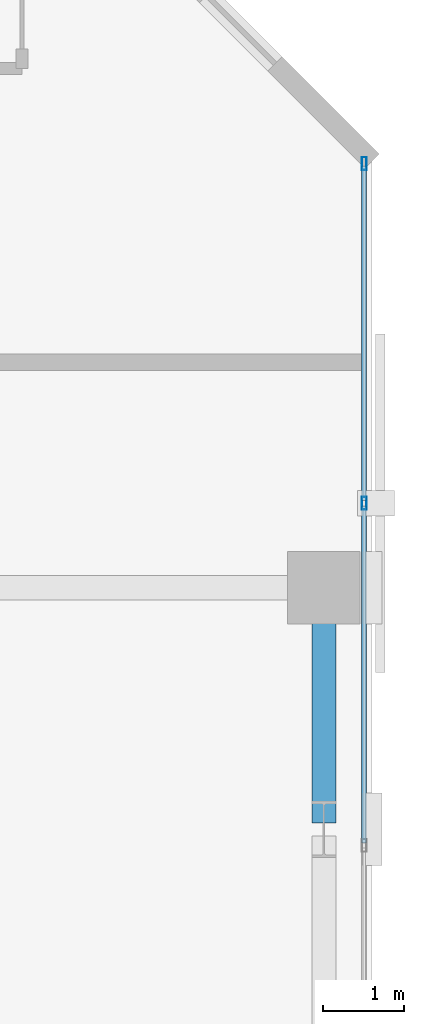
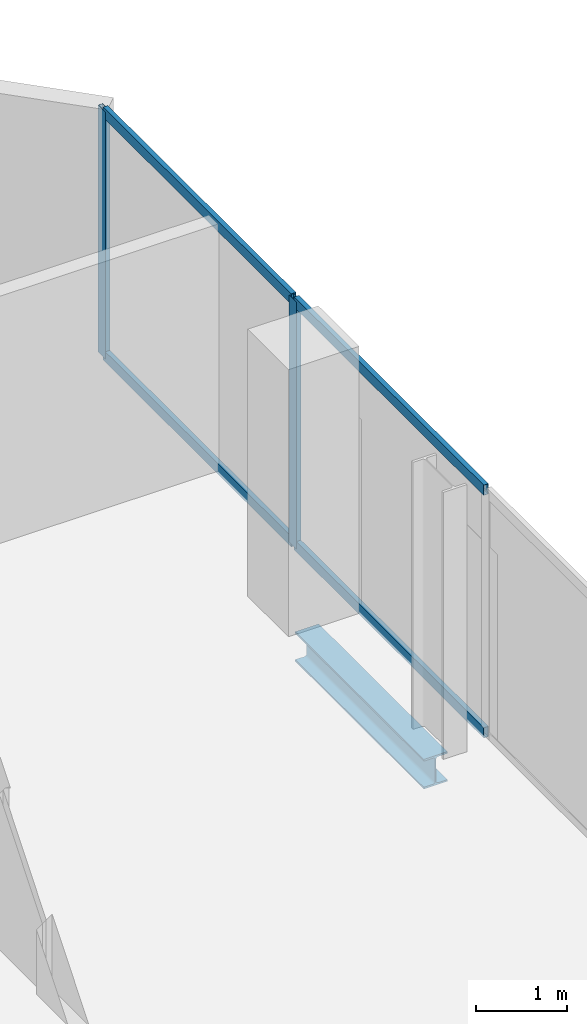
# One storey, part 26 of 35: 6 members, 1 beam, 1 element without a shape of its own.
"""IFC4 building model written with IfcOpenShell, lengths in metres."""

from ifc_helpers import new_model, si_unit, direction, frame, origin, origin_2d, place, context, subcontext, project, spatial, hollow_rectangle, i_section, extrude, material, layer, layer_set, material_profile, profile_set, type_object, element, aggregate, save


model = new_model("IFC4")

# Units and contexts
model_context = context("Model", 3, precision=1e-05, world=origin(), true_north=direction((0.0, 1.0)))
body_context = subcontext(model_context, "Body", "Model", "MODEL_VIEW")
ifc_project = project(units=[si_unit("LENGTHUNIT", "METRE"), si_unit("AREAUNIT", "SQUARE_METRE"), si_unit("VOLUMEUNIT", "CUBIC_METRE"), si_unit("PLANEANGLEUNIT", "RADIAN"), si_unit("MASSUNIT", "GRAM", prefix="KILO")], contexts=[model_context])

# Site, building, storey
site_placement = place(None, origin())
site = spatial("IfcSite", under=ifc_project, at=site_placement, CompositionType="ELEMENT")
building_placement = place(site_placement, origin())
building = spatial("IfcBuilding", under=site, at=building_placement, Name="Catumbela Crestline Tower", CompositionType="ELEMENT")
storey_placement = place(building_placement, frame((0.0, 0.0, 90.0)))
storey = spatial("IfcBuildingStorey", under=building, at=storey_placement, Name="L22", CompositionType="ELEMENT", Elevation=90.0)

# Curtain wall, members
ifc_material_1 = material(Name="Aluminium alloy AW-6060-T66", Category="aluminium")
ifc_layer = layer(ifc_material_1, 0.18, Name="Aluminium alloy AW-6060-T66")
ifc_layer_set = layer_set([ifc_layer], Name="Aluminium alloy AW-6060-T66")
curtain_wall_type = type_object("IfcCurtainWallType", Name="CWU-Z2", PredefinedType="USERDEFINED", material=ifc_layer_set)
curtain_wall_placement = place(storey_placement, origin())
curtain_wall = element("IfcCurtainWall", 1, at=curtain_wall_placement, inside=storey, type_object=curtain_wall_type, Name="L22 Unitised Curtain Wall CW-L22-E5S1", ObjectType="UNITISED", PredefinedType="USERDEFINED")
ifc_material_profile_1 = material_profile(ifc_material_1, hollow_rectangle(XDim=0.06, YDim=0.16, WallThickness=0.004, at=origin_2d()), Name="ALU 160x60x4")
ifc_profile_set_1 = profile_set([ifc_material_profile_1], Name="Aluminium alloy AW-6060-T66")
member_type_1 = type_object("IfcMemberType", Name="MUL-160X60", PredefinedType="MULLION", material=ifc_profile_set_1)
member_1_placement = place(storey_placement, frame((50.9, 40.25, 0.0), z_axis=(0.0, 0.0, 1.0), x_axis=(-1.0, 0.0, 0.0)))
member_1 = element("IfcMember", 2, at=member_1_placement, type_object=member_type_1, Name="CWU-Z2 mullion 4", PredefinedType="MULLION", context=body_context, shape_type="SweptSolid", body=[
    extrude(hollow_rectangle(XDim=0.06, YDim=0.16, WallThickness=0.004, at=origin_2d()), origin(), (0.0, 0.0, 1.0), 3.33),
])
member_2_placement = place(storey_placement, frame((50.9, 44.4675, 0.0), z_axis=(0.0, 0.0, 1.0), x_axis=(-1.0, 0.0, 0.0)))
member_2 = element("IfcMember", 3, at=member_2_placement, type_object=member_type_1, Name="CWU-Z2 mullion 5", PredefinedType="MULLION", context=body_context, shape_type="SweptSolid", body=[
    extrude(hollow_rectangle(XDim=0.06, YDim=0.16, WallThickness=0.004, at=origin_2d()), origin(), (0.0, 0.0, 1.0), 3.33),
])

# Beam
ifc_material_2 = material(Name="Structural steel S355J2", Category="steel")
ifc_material_profile_2 = material_profile(ifc_material_2, i_section(OverallWidth=0.3, OverallDepth=0.4, WebThickness=0.0135, FlangeThickness=0.024, FilletRadius=0.027, at=origin_2d()), Name="HEB 400")
ifc_profile_set_2 = profile_set([ifc_material_profile_2], Name="Structural steel S355J2")
beam_type = type_object("IfcBeamType", Name="BS-HEB400", PredefinedType="SPANDREL", material=ifc_profile_set_2)
beam_placement = place(storey_placement, frame((50.4, 36.28, -0.46), z_axis=(0.0, 1.0, 0.0), x_axis=(-1.0, 0.0, 0.0)))
element("IfcBeam", 4, at=beam_placement, inside=storey, type_object=beam_type, Name="L22 Spandrel SP-L22-SN36", PredefinedType="SPANDREL", context=body_context, shape_type="SweptSolid", body=[
    extrude(i_section(OverallWidth=0.3, OverallDepth=0.4, WebThickness=0.0135, FlangeThickness=0.024, FilletRadius=0.027, at=origin_2d()), origin(), (0.0, 0.0, 1.0), 2.84),
])

# Member
ifc_material_profile_3 = material_profile(ifc_material_1, hollow_rectangle(XDim=0.06, YDim=0.14, WallThickness=0.004, at=origin_2d()), Name="ALU 140x60x4")
ifc_profile_set_3 = profile_set([ifc_material_profile_3], Name="Aluminium alloy AW-6060-T66")
member_type_2 = type_object("IfcMemberType", Name="TRN-140X60", PredefinedType="USERDEFINED", material=ifc_profile_set_3)
member_3_placement = place(storey_placement, frame((50.9, 36.0325, 0.03), z_axis=(0.0, 1.0, 0.0), x_axis=(-1.0, 0.0, 0.0)))
member_3 = element("IfcMember", 5, at=member_3_placement, type_object=member_type_2, Name="CWU-Z2 transom 3.1", ObjectType="TRANSOM", PredefinedType="USERDEFINED", context=body_context, shape_type="SweptSolid", body=[
    extrude(hollow_rectangle(XDim=0.06, YDim=0.14, WallThickness=0.004, at=origin_2d()), origin(), (0.0, 0.0, 1.0), 4.185),
])

member_4_placement = place(storey_placement, frame((50.9, 36.0325, 3.3), z_axis=(0.0, 1.0, 0.0), x_axis=(-1.0, 0.0, 0.0)))
member_4 = element("IfcMember", 6, at=member_4_placement, type_object=member_type_2, Name="CWU-Z2 transom 3.2", ObjectType="TRANSOM", PredefinedType="USERDEFINED", context=body_context, shape_type="SweptSolid", body=[
    extrude(hollow_rectangle(XDim=0.06, YDim=0.14, WallThickness=0.004, at=origin_2d()), origin(), (0.0, 0.0, 1.0), 4.185),
])

member_5_placement = place(storey_placement, frame((50.9, 40.2825, 0.03), z_axis=(0.0, 1.0, 0.0), x_axis=(-1.0, 0.0, 0.0)))
member_5 = element("IfcMember", 7, at=member_5_placement, type_object=member_type_2, Name="CWU-Z2 transom 4.1", ObjectType="TRANSOM", PredefinedType="USERDEFINED", context=body_context, shape_type="SweptSolid", body=[
    extrude(hollow_rectangle(XDim=0.06, YDim=0.14, WallThickness=0.004, at=origin_2d()), origin(), (0.0, 0.0, 1.0), 4.1525),
])

member_6_placement = place(storey_placement, frame((50.9, 40.2825, 3.3), z_axis=(0.0, 1.0, 0.0), x_axis=(-1.0, 0.0, 0.0)))
member_6 = element("IfcMember", 8, at=member_6_placement, type_object=member_type_2, Name="CWU-Z2 transom 4.2", ObjectType="TRANSOM", PredefinedType="USERDEFINED", context=body_context, shape_type="SweptSolid", body=[
    extrude(hollow_rectangle(XDim=0.06, YDim=0.14, WallThickness=0.004, at=origin_2d()), origin(), (0.0, 0.0, 1.0), 4.1525),
])

aggregate(curtain_wall, [member_1, member_2, member_3, member_4, member_5, member_6])

save(model, "model.ifc")
